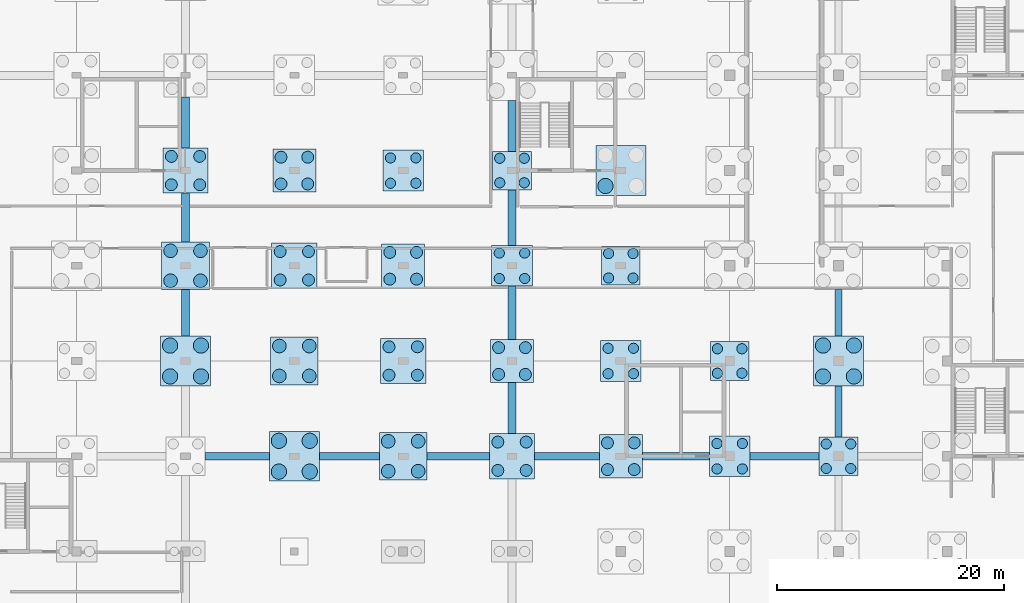
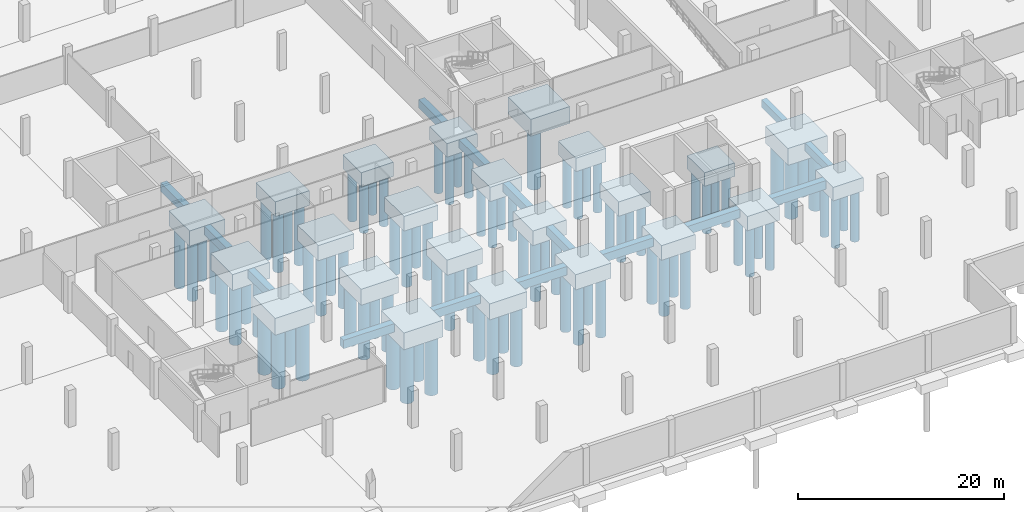
# One storey, part 4 of 26: 89 piles, 38 footings.
"""IFC4 building model written with IfcOpenShell, lengths in metres."""

from ifc_helpers import new_model, si_unit, direction, frame, origin, origin_2d, place, context, subcontext, project, spatial, rectangle, circle, extrude, material, layer, layer_set, material_profile, profile_set, type_object, element, save


model = new_model("IFC4")

# Units and contexts
model_context = context("Model", 3, precision=1e-05, world=origin(), true_north=direction((0.0, 1.0)))
body_context = subcontext(model_context, "Body", "Model", "MODEL_VIEW")
ifc_project = project(units=[si_unit("LENGTHUNIT", "METRE"), si_unit("AREAUNIT", "SQUARE_METRE"), si_unit("VOLUMEUNIT", "CUBIC_METRE"), si_unit("PLANEANGLEUNIT", "RADIAN"), si_unit("MASSUNIT", "GRAM", prefix="KILO")], contexts=[model_context])

# Site, building, storey
site_placement = place(None, origin())
site = spatial("IfcSite", under=ifc_project, at=site_placement, CompositionType="ELEMENT")
building_placement = place(site_placement, origin())
building = spatial("IfcBuilding", under=site, at=building_placement, Name="Lornevale Opera House", CompositionType="ELEMENT")
storey_placement = place(building_placement, frame((0.0, 0.0, -9.60009765625)))
storey = spatial("IfcBuildingStorey", under=building, at=storey_placement, Name="B2", CompositionType="ELEMENT", Elevation=-9.60009765625)

# Footings
ifc_material_1 = material(Name="Concrete 35 MPa (CSA A23.1 N)", Category="concrete")
ifc_layer_1 = layer(ifc_material_1, 1.60009765625)
ifc_layer_set_1 = layer_set([ifc_layer_1], Name="Concrete 35 MPa (CSA A23.1 N)")
footing_type_1 = type_object("IfcFootingType", Name="Four-Caisson Cap 3400x3400x1600", PredefinedType="PILE_CAP", material=ifc_layer_set_1)
for number, where, z_axis, x_axis, name in (
    (1, (96.0, 58.800048828125, -2.06005859375), (0.0, 0.0, 1.0), (1.0, 0.0, 0.0), "Four-Caisson Cap 3400x3400x1600 FT-150"),
    (2, (105.60009765625, 50.39990234375, -2.06005859375), (0.0, 0.0, 1.0), (1.0, 0.0, 0.0), "Four-Caisson Cap 3400x3400x1600 FT-164"),
    (3, (115.199951171875, 42.0, -2.06005859375), (0.0, 0.0, 1.0), (1.0, 0.0, 0.0), "Four-Caisson Cap 3400x3400x1600 FT-178"),
    (4, (124.800048828125, 33.60009765625, -2.06005859375), (0.0, 0.0, 1.0), (1.0, 0.0, 0.0), "Four-Caisson Cap 3400x3400x1600 FT-192"),
):
    element("IfcFooting", number, at=place(storey_placement, frame(where, z_axis=z_axis, x_axis=x_axis)), inside=storey, type_object=footing_type_1, Name=name, PredefinedType="PILE_CAP", context=body_context, shape_type="SweptSolid", body=[
        extrude(rectangle(XDim=3.39990234375, YDim=3.39990234375, at=origin_2d()), origin(), (0.0, 0.0, 1.0), 1.60009765625),
    ])
ifc_layer_2 = layer(ifc_material_1, 1.699951171875)
ifc_layer_set_2 = layer_set([ifc_layer_2], Name="Concrete 35 MPa (CSA A23.1 N)")
footing_type_2 = type_object("IfcFootingType", Name="Four-Caisson Cap 3600x3600x1700", PredefinedType="PILE_CAP", material=ifc_layer_set_2)
for number, where, z_axis, x_axis, name in (
    (5, (86.39990234375, 58.800048828125, -2.15966796875), (0.0, 0.0, 1.0), (1.0, 0.0, 0.0), "Four-Caisson Cap 3600x3600x1700 FT-135"),
    (6, (96.0, 50.39990234375, -2.15966796875), (0.0, 0.0, 1.0), (1.0, 0.0, 0.0), "Four-Caisson Cap 3600x3600x1700 FT-149"),
    (7, (105.60009765625, 42.0, -2.15966796875), (0.0, 0.0, 1.0), (1.0, 0.0, 0.0), "Four-Caisson Cap 3600x3600x1700 FT-163"),
    (8, (115.199951171875, 33.60009765625, -2.15966796875), (0.0, 0.0, 1.0), (1.0, 0.0, 0.0), "Four-Caisson Cap 3600x3600x1700 FT-177"),
):
    element("IfcFooting", number, at=place(storey_placement, frame(where, z_axis=z_axis, x_axis=x_axis)), inside=storey, type_object=footing_type_2, Name=name, PredefinedType="PILE_CAP", context=body_context, shape_type="SweptSolid", body=[
        extrude(rectangle(XDim=3.60009765625, YDim=3.60009765625, at=origin_2d()), origin(), (0.0, 0.0, 1.0), 1.699951171875),
    ])
ifc_layer_3 = layer(ifc_material_1, 1.75)
ifc_layer_set_3 = layer_set([ifc_layer_3], Name="Concrete 35 MPa (CSA A23.1 N)")
footing_type_3 = type_object("IfcFootingType", Name="Four-Caisson Cap 3800x3800x1750", PredefinedType="PILE_CAP", material=ifc_layer_set_3)
for number, where, z_axis, x_axis, name in (
    (9, (76.800048828125, 58.800048828125, -2.2099609375), (0.0, 0.0, 1.0), (1.0, 0.0, 0.0), "Four-Caisson Cap 3800x3800x1750 FT-120"),
    (10, (86.39990234375, 50.39990234375, -2.2099609375), (0.0, 0.0, 1.0), (1.0, 0.0, 0.0), "Four-Caisson Cap 3800x3800x1750 FT-134"),
    (11, (96.0, 42.0, -2.2099609375), (0.0, 0.0, 1.0), (1.0, 0.0, 0.0), "Four-Caisson Cap 3800x3800x1750 FT-148"),
    (12, (105.60009765625, 33.60009765625, -2.2099609375), (0.0, 0.0, 1.0), (1.0, 0.0, 0.0), "Four-Caisson Cap 3800x3800x1750 FT-162"),
):
    element("IfcFooting", number, at=place(storey_placement, frame(where, z_axis=z_axis, x_axis=x_axis)), inside=storey, type_object=footing_type_3, Name=name, PredefinedType="PILE_CAP", context=body_context, shape_type="SweptSolid", body=[
        extrude(rectangle(XDim=3.800048828125, YDim=3.800048828125, at=origin_2d()), origin(), (0.0, 0.0, 1.0), 1.75),
    ])
ifc_layer_4 = layer(ifc_material_1, 1.800048828125)
ifc_layer_set_4 = layer_set([ifc_layer_4], Name="Concrete 35 MPa (CSA A23.1 N)")
footing_type_4 = type_object("IfcFootingType", Name="Four-Caisson Cap 4000x4000x1800", PredefinedType="PILE_CAP", material=ifc_layer_set_4)
for number, where, z_axis, x_axis, name in (
    (13, (67.199951171875, 58.800048828125, -2.259765625), (0.0, 0.0, 1.0), (1.0, 0.0, 0.0), "Four-Caisson Cap 4000x4000x1800 FT-105"),
    (14, (76.800048828125, 50.39990234375, -2.259765625), (0.0, 0.0, 1.0), (1.0, 0.0, 0.0), "Four-Caisson Cap 4000x4000x1800 FT-119"),
    (15, (86.39990234375, 42.0, -2.259765625), (0.0, 0.0, 1.0), (1.0, 0.0, 0.0), "Four-Caisson Cap 4000x4000x1800 FT-133"),
    (16, (96.0, 33.60009765625, -2.259765625), (0.0, 0.0, 1.0), (1.0, 0.0, 0.0), "Four-Caisson Cap 4000x4000x1800 FT-147"),
):
    element("IfcFooting", number, at=place(storey_placement, frame(where, z_axis=z_axis, x_axis=x_axis)), inside=storey, type_object=footing_type_4, Name=name, PredefinedType="PILE_CAP", context=body_context, shape_type="SweptSolid", body=[
        extrude(rectangle(XDim=4.0, YDim=4.0, at=origin_2d()), origin(), (0.0, 0.0, 1.0), 1.800048828125),
    ])
ifc_layer_5 = layer(ifc_material_1, 1.89990234375)
ifc_layer_set_5 = layer_set([ifc_layer_5], Name="Concrete 35 MPa (CSA A23.1 N)")
footing_type_5 = type_object("IfcFootingType", Name="Four-Caisson Cap 4200x4200x1900", PredefinedType="PILE_CAP", material=ifc_layer_set_5)
for number, where, z_axis, x_axis, name in (
    (17, (67.199951171875, 50.39990234375, -2.35986328125), (0.0, 0.0, 1.0), (1.0, 0.0, 0.0), "Four-Caisson Cap 4200x4200x1900 FT-104"),
    (18, (76.800048828125, 42.0, -2.35986328125), (0.0, 0.0, 1.0), (1.0, 0.0, 0.0), "Four-Caisson Cap 4200x4200x1900 FT-118"),
    (19, (86.39990234375, 33.60009765625, -2.35986328125), (0.0, 0.0, 1.0), (1.0, 0.0, 0.0), "Four-Caisson Cap 4200x4200x1900 FT-132"),
):
    element("IfcFooting", number, at=place(storey_placement, frame(where, z_axis=z_axis, x_axis=x_axis)), inside=storey, type_object=footing_type_5, Name=name, PredefinedType="PILE_CAP", context=body_context, shape_type="SweptSolid", body=[
        extrude(rectangle(XDim=4.199951171875, YDim=4.199951171875, at=origin_2d()), origin(), (0.0, 0.0, 1.0), 1.89990234375),
    ])
ifc_layer_6 = layer(ifc_material_1, 2.0)
ifc_layer_set_6 = layer_set([ifc_layer_6], Name="Concrete 35 MPa (CSA A23.1 N)")
footing_type_6 = type_object("IfcFootingType", Name="Four-Caisson Cap 4400x4400x2000", PredefinedType="PILE_CAP", material=ifc_layer_set_6)
for number, where, z_axis, x_axis, name in (
    (20, (67.199951171875, 42.0, -2.4599609375), (0.0, 0.0, 1.0), (1.0, 0.0, 0.0), "Four-Caisson Cap 4400x4400x2000 FT-103"),
    (21, (76.800048828125, 33.60009765625, -2.4599609375), (0.0, 0.0, 1.0), (1.0, 0.0, 0.0), "Four-Caisson Cap 4400x4400x2000 FT-117"),
    (22, (105.60009765625, 58.800048828125, -2.4599609375), (0.0, 0.0, 1.0), (1.0, 0.0, 0.0), "Four-Caisson Cap 4400x4400x2000 FT-165"),
    (23, (124.800048828125, 42.0, -2.4599609375), (0.0, 0.0, 1.0), (1.0, 0.0, 0.0), "Four-Caisson Cap 4400x4400x2000 FT-193"),
):
    element("IfcFooting", number, at=place(storey_placement, frame(where, z_axis=z_axis, x_axis=x_axis)), inside=storey, type_object=footing_type_6, Name=name, PredefinedType="PILE_CAP", context=body_context, shape_type="SweptSolid", body=[
        extrude(rectangle(XDim=4.39990234375, YDim=4.39990234375, at=origin_2d()), origin(), (0.0, 0.0, 1.0), 2.0),
    ])
ifc_layer_7 = layer(ifc_material_1, 1.0)
ifc_layer_set_7 = layer_set([ifc_layer_7], Name="Concrete 35 MPa (CSA A23.1 N)")
footing_type_7 = type_object("IfcFootingType", Name="Grade Tie Beam EW 700x1000", PredefinedType="FOOTING_BEAM", material=ifc_layer_set_7)
footing_1_placement = place(storey_placement, frame((71.75, 33.60009765625, -1.4599609375), z_axis=(0.0, 0.0, 1.0), x_axis=(1.0, 0.0, 0.0)))
element("IfcFooting", 24, at=footing_1_placement, inside=storey, type_object=footing_type_7, Name="Grade Tie Beam EW 700x1000 FT-281", PredefinedType="FOOTING_BEAM", context=body_context, shape_type="SweptSolid", body=[
    extrude(rectangle(XDim=5.699951171875, YDim=0.699951171875, at=origin_2d()), origin(), (0.0, 0.0, 1.0), 1.0),
])
footing_2_placement = place(storey_placement, frame((81.64990234375, 33.60009765625, -1.4599609375), z_axis=(0.0, 0.0, 1.0), x_axis=(1.0, 0.0, 0.0)))
element("IfcFooting", 25, at=footing_2_placement, inside=storey, type_object=footing_type_7, Name="Grade Tie Beam EW 700x1000 FT-286", PredefinedType="FOOTING_BEAM", context=body_context, shape_type="SweptSolid", body=[
    extrude(rectangle(XDim=5.300048828125, YDim=0.699951171875, at=origin_2d()), origin(), (0.0, 0.0, 1.0), 1.0),
])
footing_3_placement = place(storey_placement, frame((91.25, 33.60009765625, -1.4599609375), z_axis=(0.0, 0.0, 1.0), x_axis=(1.0, 0.0, 0.0)))
element("IfcFooting", 26, at=footing_3_placement, inside=storey, type_object=footing_type_7, Name="Grade Tie Beam EW 700x1000 FT-291", PredefinedType="FOOTING_BEAM", context=body_context, shape_type="SweptSolid", body=[
    extrude(rectangle(XDim=5.5, YDim=0.699951171875, at=origin_2d()), origin(), (0.0, 0.0, 1.0), 1.0),
])
footing_4_placement = place(storey_placement, frame((100.85009765625, 33.60009765625, -1.4599609375), z_axis=(0.0, 0.0, 1.0), x_axis=(1.0, 0.0, 0.0)))
element("IfcFooting", 27, at=footing_4_placement, inside=storey, type_object=footing_type_7, Name="Grade Tie Beam EW 700x1000 FT-296", PredefinedType="FOOTING_BEAM", context=body_context, shape_type="SweptSolid", body=[
    extrude(rectangle(XDim=5.699951171875, YDim=0.699951171875, at=origin_2d()), origin(), (0.0, 0.0, 1.0), 1.0),
])
footing_5_placement = place(storey_placement, frame((110.449951171875, 33.60009765625, -1.4599609375), z_axis=(0.0, 0.0, 1.0), x_axis=(1.0, 0.0, 0.0)))
element("IfcFooting", 28, at=footing_5_placement, inside=storey, type_object=footing_type_7, Name="Grade Tie Beam EW 700x1000 FT-301", PredefinedType="FOOTING_BEAM", context=body_context, shape_type="SweptSolid", body=[
    extrude(rectangle(XDim=5.89990234375, YDim=0.699951171875, at=origin_2d()), origin(), (0.0, 0.0, 1.0), 1.0),
])
footing_6_placement = place(storey_placement, frame((120.050048828125, 33.60009765625, -1.4599609375), z_axis=(0.0, 0.0, 1.0), x_axis=(1.0, 0.0, 0.0)))
element("IfcFooting", 29, at=footing_6_placement, inside=storey, type_object=footing_type_7, Name="Grade Tie Beam EW 700x1000 FT-306", PredefinedType="FOOTING_BEAM", context=body_context, shape_type="SweptSolid", body=[
    extrude(rectangle(XDim=6.10009765625, YDim=0.699951171875, at=origin_2d()), origin(), (0.0, 0.0, 1.0), 1.0),
])
ifc_layer_8 = layer(ifc_material_1, 0.89990234375)
ifc_layer_set_8 = layer_set([ifc_layer_8], Name="Concrete 35 MPa (CSA A23.1 N)")
footing_type_8 = type_object("IfcFootingType", Name="Grade Tie Beam NS 600x900", PredefinedType="FOOTING_BEAM", material=ifc_layer_set_8)
footing_7_placement = place(storey_placement, frame((124.800048828125, 37.550048828125, -1.35986328125), z_axis=(0.0, 0.0, 1.0), x_axis=(1.0, 0.0, 0.0)))
element("IfcFooting", 30, at=footing_7_placement, inside=storey, type_object=footing_type_8, Name="Grade Tie Beam NS 600x900 FT-382", PredefinedType="FOOTING_BEAM", context=body_context, shape_type="SweptSolid", body=[
    extrude(rectangle(XDim=0.60009765625, YDim=4.5, at=origin_2d()), origin(), (0.0, 0.0, 1.0), 0.89990234375),
])
footing_8_placement = place(storey_placement, frame((124.800048828125, 46.25, -1.35986328125), z_axis=(0.0, 0.0, 1.0), x_axis=(1.0, 0.0, 0.0)))
element("IfcFooting", 31, at=footing_8_placement, inside=storey, type_object=footing_type_8, Name="Grade Tie Beam NS 600x900 FT-383", PredefinedType="FOOTING_BEAM", context=body_context, shape_type="SweptSolid", body=[
    extrude(rectangle(XDim=0.60009765625, YDim=4.10009765625, at=origin_2d()), origin(), (0.0, 0.0, 1.0), 0.89990234375),
])
ifc_layer_9 = layer(ifc_material_1, 1.0)
ifc_layer_set_9 = layer_set([ifc_layer_9], Name="Concrete 35 MPa (CSA A23.1 N)")
footing_type_9 = type_object("IfcFootingType", Name="Grade Tie Beam NS 700x1000", PredefinedType="FOOTING_BEAM", material=ifc_layer_set_9)
footing_9_placement = place(storey_placement, frame((67.199951171875, 46.25, -1.4599609375), z_axis=(0.0, 0.0, 1.0), x_axis=(1.0, 0.0, 0.0)))
element("IfcFooting", 32, at=footing_9_placement, inside=storey, type_object=footing_type_9, Name="Grade Tie Beam NS 700x1000 FT-355", PredefinedType="FOOTING_BEAM", context=body_context, shape_type="SweptSolid", body=[
    extrude(rectangle(XDim=0.699951171875, YDim=4.10009765625, at=origin_2d()), origin(), (0.0, 0.0, 1.0), 1.0),
])
footing_10_placement = place(storey_placement, frame((67.199951171875, 54.64990234375, -1.4599609375), z_axis=(0.0, 0.0, 1.0), x_axis=(1.0, 0.0, 0.0)))
element("IfcFooting", 33, at=footing_10_placement, inside=storey, type_object=footing_type_9, Name="Grade Tie Beam NS 700x1000 FT-356", PredefinedType="FOOTING_BEAM", context=body_context, shape_type="SweptSolid", body=[
    extrude(rectangle(XDim=0.699951171875, YDim=4.300048828125, at=origin_2d()), origin(), (0.0, 0.0, 1.0), 1.0),
])
for number, where, z_axis, x_axis, name in (
    (34, (67.199951171875, 63.050048828125, -1.4599609375), (0.0, 0.0, 1.0), (1.0, 0.0, 0.0), "Grade Tie Beam NS 700x1000 FT-357"),
    (35, (96.0, 37.85009765625, -1.4599609375), (0.0, 0.0, 1.0), (1.0, 0.0, 0.0), "Grade Tie Beam NS 700x1000 FT-368"),
):
    element("IfcFooting", number, at=place(storey_placement, frame(where, z_axis=z_axis, x_axis=x_axis)), inside=storey, type_object=footing_type_9, Name=name, PredefinedType="FOOTING_BEAM", context=body_context, shape_type="SweptSolid", body=[
        extrude(rectangle(XDim=0.699951171875, YDim=4.5, at=origin_2d()), origin(), (0.0, 0.0, 1.0), 1.0),
    ])
footing_11_placement = place(storey_placement, frame((96.0, 46.25, -1.4599609375), z_axis=(0.0, 0.0, 1.0), x_axis=(1.0, 0.0, 0.0)))
element("IfcFooting", 36, at=footing_11_placement, inside=storey, type_object=footing_type_9, Name="Grade Tie Beam NS 700x1000 FT-369", PredefinedType="FOOTING_BEAM", context=body_context, shape_type="SweptSolid", body=[
    extrude(rectangle(XDim=0.699951171875, YDim=4.699951171875, at=origin_2d()), origin(), (0.0, 0.0, 1.0), 1.0),
])
footing_12_placement = place(storey_placement, frame((96.0, 54.64990234375, -1.4599609375), z_axis=(0.0, 0.0, 1.0), x_axis=(1.0, 0.0, 0.0)))
element("IfcFooting", 37, at=footing_12_placement, inside=storey, type_object=footing_type_9, Name="Grade Tie Beam NS 700x1000 FT-370", PredefinedType="FOOTING_BEAM", context=body_context, shape_type="SweptSolid", body=[
    extrude(rectangle(XDim=0.699951171875, YDim=4.89990234375, at=origin_2d()), origin(), (0.0, 0.0, 1.0), 1.0),
])
footing_13_placement = place(storey_placement, frame((96.0, 62.75, -1.4599609375), z_axis=(0.0, 0.0, 1.0), x_axis=(1.0, 0.0, 0.0)))
element("IfcFooting", 38, at=footing_13_placement, inside=storey, type_object=footing_type_9, Name="Grade Tie Beam NS 700x1000 FT-371", PredefinedType="FOOTING_BEAM", context=body_context, shape_type="SweptSolid", body=[
    extrude(rectangle(XDim=0.699951171875, YDim=4.5, at=origin_2d()), origin(), (0.0, 0.0, 1.0), 1.0),
])

# Piles
ifc_material_2 = material(Name="Concrete 40 MPa (CSA A23.1 C-1)", Category="concrete")
ifc_material_profile_1 = material_profile(ifc_material_2, circle(Radius=0.52490234375, at=origin_2d()), Name="CAIS1050")
ifc_profile_set_1 = profile_set([ifc_material_profile_1], Name="Concrete 40 MPa (CSA A23.1 C-1)")
pile_type_1 = type_object("IfcPileType", Name="Rock-Socketed Caisson D1050", PredefinedType="BORED", material=ifc_profile_set_1)
for number, where, z_axis, x_axis, name in (
    (39, (65.949951171875, 57.550048828125, -2.139892578125), (0.0, 0.0, -1.0), (1.0, 0.0, 0.0), "Rock-Socketed Caisson D1050 0191"),
    (40, (68.449951171875, 57.550048828125, -2.139892578125), (0.0, 0.0, -1.0), (1.0, 0.0, 0.0), "Rock-Socketed Caisson D1050 0192"),
    (41, (65.949951171875, 60.050048828125, -2.139892578125), (0.0, 0.0, -1.0), (1.0, 0.0, 0.0), "Rock-Socketed Caisson D1050 0193"),
    (42, (68.449951171875, 60.050048828125, -2.139892578125), (0.0, 0.0, -1.0), (1.0, 0.0, 0.0), "Rock-Socketed Caisson D1050 0194"),
    (43, (75.550048828125, 49.14990234375, -2.139892578125), (0.0, 0.0, -1.0), (1.0, 0.0, 0.0), "Rock-Socketed Caisson D1050 0225"),
    (44, (78.050048828125, 49.14990234375, -2.139892578125), (0.0, 0.0, -1.0), (1.0, 0.0, 0.0), "Rock-Socketed Caisson D1050 0226"),
    (45, (75.550048828125, 51.64990234375, -2.139892578125), (0.0, 0.0, -1.0), (1.0, 0.0, 0.0), "Rock-Socketed Caisson D1050 0227"),
    (46, (78.050048828125, 51.64990234375, -2.139892578125), (0.0, 0.0, -1.0), (1.0, 0.0, 0.0), "Rock-Socketed Caisson D1050 0228"),
):
    element("IfcPile", number, at=place(storey_placement, frame(where, z_axis=z_axis, x_axis=x_axis)), inside=storey, type_object=pile_type_1, Name=name, PredefinedType="BORED", context=body_context, shape_type="SweptSolid", body=[
        extrude(circle(Radius=0.52490234375, at=origin_2d()), origin(), (0.0, 0.0, 1.0), 7.06005859375),
    ])
for number, where, z_axis, x_axis, name in (
    (47, (75.6201171875, 57.6201171875, -2.08984375), (0.0, 0.0, -1.0), (1.0, 0.0, 0.0), "Rock-Socketed Caisson D1050 0229"),
    (48, (77.97998046875, 57.6201171875, -2.08984375), (0.0, 0.0, -1.0), (1.0, 0.0, 0.0), "Rock-Socketed Caisson D1050 0230"),
    (49, (75.6201171875, 59.97998046875, -2.08984375), (0.0, 0.0, -1.0), (1.0, 0.0, 0.0), "Rock-Socketed Caisson D1050 0231"),
    (50, (77.97998046875, 59.97998046875, -2.08984375), (0.0, 0.0, -1.0), (1.0, 0.0, 0.0), "Rock-Socketed Caisson D1050 0232"),
):
    element("IfcPile", number, at=place(storey_placement, frame(where, z_axis=z_axis, x_axis=x_axis)), inside=storey, type_object=pile_type_1, Name=name, PredefinedType="BORED", context=body_context, shape_type="SweptSolid", body=[
        extrude(circle(Radius=0.52490234375, at=origin_2d()), origin(), (0.0, 0.0, 1.0), 7.110107421875),
    ])
for number, where, z_axis, x_axis, name in (
    (51, (85.14990234375, 40.75, -2.139892578125), (0.0, 0.0, -1.0), (1.0, 0.0, 0.0), "Rock-Socketed Caisson D1050 0259"),
    (52, (87.64990234375, 40.75, -2.139892578125), (0.0, 0.0, -1.0), (1.0, 0.0, 0.0), "Rock-Socketed Caisson D1050 0260"),
    (53, (85.14990234375, 43.25, -2.139892578125), (0.0, 0.0, -1.0), (1.0, 0.0, 0.0), "Rock-Socketed Caisson D1050 0261"),
    (54, (87.64990234375, 43.25, -2.139892578125), (0.0, 0.0, -1.0), (1.0, 0.0, 0.0), "Rock-Socketed Caisson D1050 0262"),
):
    element("IfcPile", number, at=place(storey_placement, frame(where, z_axis=z_axis, x_axis=x_axis)), inside=storey, type_object=pile_type_1, Name=name, PredefinedType="BORED", context=body_context, shape_type="SweptSolid", body=[
        extrude(circle(Radius=0.52490234375, at=origin_2d()), origin(), (0.0, 0.0, 1.0), 7.06005859375),
    ])
for number, where, z_axis, x_axis, name in (
    (55, (85.219970703125, 49.219970703125, -2.08984375), (0.0, 0.0, -1.0), (1.0, 0.0, 0.0), "Rock-Socketed Caisson D1050 0263"),
    (56, (87.580078125, 49.219970703125, -2.08984375), (0.0, 0.0, -1.0), (1.0, 0.0, 0.0), "Rock-Socketed Caisson D1050 0264"),
    (57, (85.219970703125, 51.580078125, -2.08984375), (0.0, 0.0, -1.0), (1.0, 0.0, 0.0), "Rock-Socketed Caisson D1050 0265"),
    (58, (87.580078125, 51.580078125, -2.08984375), (0.0, 0.0, -1.0), (1.0, 0.0, 0.0), "Rock-Socketed Caisson D1050 0266"),
):
    element("IfcPile", number, at=place(storey_placement, frame(where, z_axis=z_axis, x_axis=x_axis)), inside=storey, type_object=pile_type_1, Name=name, PredefinedType="BORED", context=body_context, shape_type="SweptSolid", body=[
        extrude(circle(Radius=0.52490234375, at=origin_2d()), origin(), (0.0, 0.0, 1.0), 7.110107421875),
    ])
for number, where, z_axis, x_axis, name in (
    (59, (94.75, 32.35009765625, -2.139892578125), (0.0, 0.0, -1.0), (1.0, 0.0, 0.0), "Rock-Socketed Caisson D1050 0295"),
    (60, (97.25, 32.35009765625, -2.139892578125), (0.0, 0.0, -1.0), (1.0, 0.0, 0.0), "Rock-Socketed Caisson D1050 0296"),
    (61, (94.75, 34.85009765625, -2.139892578125), (0.0, 0.0, -1.0), (1.0, 0.0, 0.0), "Rock-Socketed Caisson D1050 0297"),
    (62, (97.25, 34.85009765625, -2.139892578125), (0.0, 0.0, -1.0), (1.0, 0.0, 0.0), "Rock-Socketed Caisson D1050 0298"),
):
    element("IfcPile", number, at=place(storey_placement, frame(where, z_axis=z_axis, x_axis=x_axis)), inside=storey, type_object=pile_type_1, Name=name, PredefinedType="BORED", context=body_context, shape_type="SweptSolid", body=[
        extrude(circle(Radius=0.52490234375, at=origin_2d()), origin(), (0.0, 0.0, 1.0), 7.06005859375),
    ])
for number, where, z_axis, x_axis, name in (
    (63, (94.820068359375, 40.820068359375, -2.08984375), (0.0, 0.0, -1.0), (1.0, 0.0, 0.0), "Rock-Socketed Caisson D1050 0299"),
    (64, (97.179931640625, 40.820068359375, -2.08984375), (0.0, 0.0, -1.0), (1.0, 0.0, 0.0), "Rock-Socketed Caisson D1050 0300"),
    (65, (94.820068359375, 43.179931640625, -2.08984375), (0.0, 0.0, -1.0), (1.0, 0.0, 0.0), "Rock-Socketed Caisson D1050 0301"),
    (66, (97.179931640625, 43.179931640625, -2.08984375), (0.0, 0.0, -1.0), (1.0, 0.0, 0.0), "Rock-Socketed Caisson D1050 0302"),
    (67, (104.419921875, 32.419921875, -2.08984375), (0.0, 0.0, -1.0), (1.0, 0.0, 0.0), "Rock-Socketed Caisson D1050 0335"),
    (68, (106.780029296875, 32.419921875, -2.08984375), (0.0, 0.0, -1.0), (1.0, 0.0, 0.0), "Rock-Socketed Caisson D1050 0336"),
    (69, (104.419921875, 34.780029296875, -2.08984375), (0.0, 0.0, -1.0), (1.0, 0.0, 0.0), "Rock-Socketed Caisson D1050 0337"),
    (70, (106.780029296875, 34.780029296875, -2.08984375), (0.0, 0.0, -1.0), (1.0, 0.0, 0.0), "Rock-Socketed Caisson D1050 0338"),
):
    element("IfcPile", number, at=place(storey_placement, frame(where, z_axis=z_axis, x_axis=x_axis)), inside=storey, type_object=pile_type_1, Name=name, PredefinedType="BORED", context=body_context, shape_type="SweptSolid", body=[
        extrude(circle(Radius=0.52490234375, at=origin_2d()), origin(), (0.0, 0.0, 1.0), 7.110107421875),
    ])
ifc_material_profile_2 = material_profile(ifc_material_2, circle(Radius=0.60009765625, at=origin_2d()), Name="CAIS1200")
ifc_profile_set_2 = profile_set([ifc_material_profile_2], Name="Concrete 40 MPa (CSA A23.1 C-1)")
pile_type_2 = type_object("IfcPileType", Name="Rock-Socketed Caisson D1200", PredefinedType="BORED", material=ifc_profile_set_2)
for number, where, z_axis, x_axis, name in (
    (71, (65.8798828125, 49.080078125, -2.239990234375), (0.0, 0.0, -1.0), (1.0, 0.0, 0.0), "Rock-Socketed Caisson D1200 0187"),
    (72, (68.52001953125, 49.080078125, -2.239990234375), (0.0, 0.0, -1.0), (1.0, 0.0, 0.0), "Rock-Socketed Caisson D1200 0188"),
    (73, (65.8798828125, 51.719970703125, -2.239990234375), (0.0, 0.0, -1.0), (1.0, 0.0, 0.0), "Rock-Socketed Caisson D1200 0189"),
    (74, (68.52001953125, 51.719970703125, -2.239990234375), (0.0, 0.0, -1.0), (1.0, 0.0, 0.0), "Rock-Socketed Caisson D1200 0190"),
    (75, (75.47998046875, 40.679931640625, -2.239990234375), (0.0, 0.0, -1.0), (1.0, 0.0, 0.0), "Rock-Socketed Caisson D1200 0221"),
    (76, (78.1201171875, 40.679931640625, -2.239990234375), (0.0, 0.0, -1.0), (1.0, 0.0, 0.0), "Rock-Socketed Caisson D1200 0222"),
    (77, (75.47998046875, 43.320068359375, -2.239990234375), (0.0, 0.0, -1.0), (1.0, 0.0, 0.0), "Rock-Socketed Caisson D1200 0223"),
    (78, (78.1201171875, 43.320068359375, -2.239990234375), (0.0, 0.0, -1.0), (1.0, 0.0, 0.0), "Rock-Socketed Caisson D1200 0224"),
    (79, (85.080078125, 32.280029296875, -2.239990234375), (0.0, 0.0, -1.0), (1.0, 0.0, 0.0), "Rock-Socketed Caisson D1200 0255"),
    (80, (87.719970703125, 32.280029296875, -2.239990234375), (0.0, 0.0, -1.0), (1.0, 0.0, 0.0), "Rock-Socketed Caisson D1200 0256"),
    (81, (85.080078125, 34.919921875, -2.239990234375), (0.0, 0.0, -1.0), (1.0, 0.0, 0.0), "Rock-Socketed Caisson D1200 0257"),
    (82, (87.719970703125, 34.919921875, -2.239990234375), (0.0, 0.0, -1.0), (1.0, 0.0, 0.0), "Rock-Socketed Caisson D1200 0258"),
):
    element("IfcPile", number, at=place(storey_placement, frame(where, z_axis=z_axis, x_axis=x_axis)), inside=storey, type_object=pile_type_2, Name=name, PredefinedType="BORED", context=body_context, shape_type="SweptSolid", body=[
        extrude(circle(Radius=0.60009765625, at=origin_2d()), origin(), (0.0, 0.0, 1.0), 6.9599609375),
    ])
ifc_material_profile_3 = material_profile(ifc_material_2, circle(Radius=0.675048828125, at=origin_2d()), Name="CAIS1350")
ifc_profile_set_3 = profile_set([ifc_material_profile_3], Name="Concrete 40 MPa (CSA A23.1 C-1)")
pile_type_3 = type_object("IfcPileType", Name="Rock-Socketed Caisson D1350", PredefinedType="BORED", material=ifc_profile_set_3)
for number, where, z_axis, x_axis, name in (
    (83, (65.840087890625, 40.639892578125, -2.33984375), (0.0, 0.0, -1.0), (1.0, 0.0, 0.0), "Rock-Socketed Caisson D1350 0183"),
    (84, (68.56005859375, 40.639892578125, -2.33984375), (0.0, 0.0, -1.0), (1.0, 0.0, 0.0), "Rock-Socketed Caisson D1350 0184"),
    (85, (65.840087890625, 43.360107421875, -2.33984375), (0.0, 0.0, -1.0), (1.0, 0.0, 0.0), "Rock-Socketed Caisson D1350 0185"),
    (86, (68.56005859375, 43.360107421875, -2.33984375), (0.0, 0.0, -1.0), (1.0, 0.0, 0.0), "Rock-Socketed Caisson D1350 0186"),
    (87, (75.43994140625, 32.239990234375, -2.33984375), (0.0, 0.0, -1.0), (1.0, 0.0, 0.0), "Rock-Socketed Caisson D1350 0217"),
    (88, (78.159912109375, 32.239990234375, -2.33984375), (0.0, 0.0, -1.0), (1.0, 0.0, 0.0), "Rock-Socketed Caisson D1350 0218"),
    (89, (75.43994140625, 34.9599609375, -2.33984375), (0.0, 0.0, -1.0), (1.0, 0.0, 0.0), "Rock-Socketed Caisson D1350 0219"),
    (90, (78.159912109375, 34.9599609375, -2.33984375), (0.0, 0.0, -1.0), (1.0, 0.0, 0.0), "Rock-Socketed Caisson D1350 0220"),
    (91, (104.239990234375, 57.43994140625, -2.33984375), (0.0, 0.0, -1.0), (1.0, 0.0, 0.0), "Rock-Socketed Caisson D1350 0347"),
    (92, (123.43994140625, 40.639892578125, -2.33984375), (0.0, 0.0, -1.0), (1.0, 0.0, 0.0), "Rock-Socketed Caisson D1350 0418"),
    (93, (126.159912109375, 40.639892578125, -2.33984375), (0.0, 0.0, -1.0), (1.0, 0.0, 0.0), "Rock-Socketed Caisson D1350 0419"),
    (94, (123.43994140625, 43.360107421875, -2.33984375), (0.0, 0.0, -1.0), (1.0, 0.0, 0.0), "Rock-Socketed Caisson D1350 0420"),
    (95, (126.159912109375, 43.360107421875, -2.33984375), (0.0, 0.0, -1.0), (1.0, 0.0, 0.0), "Rock-Socketed Caisson D1350 0421"),
):
    element("IfcPile", number, at=place(storey_placement, frame(where, z_axis=z_axis, x_axis=x_axis)), inside=storey, type_object=pile_type_3, Name=name, PredefinedType="BORED", context=body_context, shape_type="SweptSolid", body=[
        extrude(circle(Radius=0.675048828125, at=origin_2d()), origin(), (0.0, 0.0, 1.0), 6.860107421875),
    ])
ifc_material_profile_4 = material_profile(ifc_material_2, circle(Radius=0.449951171875, at=origin_2d()), Name="CAIS900")
ifc_profile_set_4 = profile_set([ifc_material_profile_4], Name="Concrete 40 MPa (CSA A23.1 C-1)")
pile_type_4 = type_object("IfcPileType", Name="Rock-Socketed Caisson D900", PredefinedType="BORED", material=ifc_profile_set_4)
for number, where, z_axis, x_axis, name in (
    (96, (85.280029296875, 57.679931640625, -2.039794921875), (0.0, 0.0, -1.0), (1.0, 0.0, 0.0), "Rock-Socketed Caisson D900 0267"),
    (97, (87.52001953125, 57.679931640625, -2.039794921875), (0.0, 0.0, -1.0), (1.0, 0.0, 0.0), "Rock-Socketed Caisson D900 0268"),
    (98, (85.280029296875, 59.919921875, -2.039794921875), (0.0, 0.0, -1.0), (1.0, 0.0, 0.0), "Rock-Socketed Caisson D900 0269"),
    (99, (87.52001953125, 59.919921875, -2.039794921875), (0.0, 0.0, -1.0), (1.0, 0.0, 0.0), "Rock-Socketed Caisson D900 0270"),
    (100, (94.8798828125, 49.280029296875, -2.039794921875), (0.0, 0.0, -1.0), (1.0, 0.0, 0.0), "Rock-Socketed Caisson D900 0303"),
    (101, (97.1201171875, 49.280029296875, -2.039794921875), (0.0, 0.0, -1.0), (1.0, 0.0, 0.0), "Rock-Socketed Caisson D900 0304"),
    (102, (94.8798828125, 51.52001953125, -2.039794921875), (0.0, 0.0, -1.0), (1.0, 0.0, 0.0), "Rock-Socketed Caisson D900 0305"),
    (103, (97.1201171875, 51.52001953125, -2.039794921875), (0.0, 0.0, -1.0), (1.0, 0.0, 0.0), "Rock-Socketed Caisson D900 0306"),
):
    element("IfcPile", number, at=place(storey_placement, frame(where, z_axis=z_axis, x_axis=x_axis)), inside=storey, type_object=pile_type_4, Name=name, PredefinedType="BORED", context=body_context, shape_type="SweptSolid", body=[
        extrude(circle(Radius=0.449951171875, at=origin_2d()), origin(), (0.0, 0.0, 1.0), 5.9599609375),
    ])
for number, where, z_axis, x_axis, name in (
    (104, (94.919921875, 57.719970703125, -1.93994140625), (0.0, 0.0, -1.0), (1.0, 0.0, 0.0), "Rock-Socketed Caisson D900 0307"),
    (105, (97.080078125, 57.719970703125, -1.93994140625), (0.0, 0.0, -1.0), (1.0, 0.0, 0.0), "Rock-Socketed Caisson D900 0308"),
    (106, (94.919921875, 59.8798828125, -1.93994140625), (0.0, 0.0, -1.0), (1.0, 0.0, 0.0), "Rock-Socketed Caisson D900 0309"),
    (107, (97.080078125, 59.8798828125, -1.93994140625), (0.0, 0.0, -1.0), (1.0, 0.0, 0.0), "Rock-Socketed Caisson D900 0310"),
):
    element("IfcPile", number, at=place(storey_placement, frame(where, z_axis=z_axis, x_axis=x_axis)), inside=storey, type_object=pile_type_4, Name=name, PredefinedType="BORED", context=body_context, shape_type="SweptSolid", body=[
        extrude(circle(Radius=0.449951171875, at=origin_2d()), origin(), (0.0, 0.0, 1.0), 6.06005859375),
    ])
for number, where, z_axis, x_axis, name in (
    (108, (104.47998046875, 40.8798828125, -2.039794921875), (0.0, 0.0, -1.0), (1.0, 0.0, 0.0), "Rock-Socketed Caisson D900 0339"),
    (109, (106.719970703125, 40.8798828125, -2.039794921875), (0.0, 0.0, -1.0), (1.0, 0.0, 0.0), "Rock-Socketed Caisson D900 0340"),
    (110, (104.47998046875, 43.1201171875, -2.039794921875), (0.0, 0.0, -1.0), (1.0, 0.0, 0.0), "Rock-Socketed Caisson D900 0341"),
    (111, (106.719970703125, 43.1201171875, -2.039794921875), (0.0, 0.0, -1.0), (1.0, 0.0, 0.0), "Rock-Socketed Caisson D900 0342"),
):
    element("IfcPile", number, at=place(storey_placement, frame(where, z_axis=z_axis, x_axis=x_axis)), inside=storey, type_object=pile_type_4, Name=name, PredefinedType="BORED", context=body_context, shape_type="SweptSolid", body=[
        extrude(circle(Radius=0.449951171875, at=origin_2d()), origin(), (0.0, 0.0, 1.0), 5.9599609375),
    ])
for number, where, z_axis, x_axis, name in (
    (112, (104.52001953125, 49.320068359375, -1.93994140625), (0.0, 0.0, -1.0), (1.0, 0.0, 0.0), "Rock-Socketed Caisson D900 0343"),
    (113, (106.679931640625, 49.320068359375, -1.93994140625), (0.0, 0.0, -1.0), (1.0, 0.0, 0.0), "Rock-Socketed Caisson D900 0344"),
    (114, (104.52001953125, 51.47998046875, -1.93994140625), (0.0, 0.0, -1.0), (1.0, 0.0, 0.0), "Rock-Socketed Caisson D900 0345"),
    (115, (106.679931640625, 51.47998046875, -1.93994140625), (0.0, 0.0, -1.0), (1.0, 0.0, 0.0), "Rock-Socketed Caisson D900 0346"),
):
    element("IfcPile", number, at=place(storey_placement, frame(where, z_axis=z_axis, x_axis=x_axis)), inside=storey, type_object=pile_type_4, Name=name, PredefinedType="BORED", context=body_context, shape_type="SweptSolid", body=[
        extrude(circle(Radius=0.449951171875, at=origin_2d()), origin(), (0.0, 0.0, 1.0), 6.06005859375),
    ])
for number, where, z_axis, x_axis, name in (
    (116, (114.080078125, 32.47998046875, -2.039794921875), (0.0, 0.0, -1.0), (1.0, 0.0, 0.0), "Rock-Socketed Caisson D900 0375"),
    (117, (116.320068359375, 32.47998046875, -2.039794921875), (0.0, 0.0, -1.0), (1.0, 0.0, 0.0), "Rock-Socketed Caisson D900 0376"),
    (118, (114.080078125, 34.719970703125, -2.039794921875), (0.0, 0.0, -1.0), (1.0, 0.0, 0.0), "Rock-Socketed Caisson D900 0377"),
    (119, (116.320068359375, 34.719970703125, -2.039794921875), (0.0, 0.0, -1.0), (1.0, 0.0, 0.0), "Rock-Socketed Caisson D900 0378"),
):
    element("IfcPile", number, at=place(storey_placement, frame(where, z_axis=z_axis, x_axis=x_axis)), inside=storey, type_object=pile_type_4, Name=name, PredefinedType="BORED", context=body_context, shape_type="SweptSolid", body=[
        extrude(circle(Radius=0.449951171875, at=origin_2d()), origin(), (0.0, 0.0, 1.0), 5.9599609375),
    ])
for number, where, z_axis, x_axis, name in (
    (120, (114.1201171875, 40.919921875, -1.93994140625), (0.0, 0.0, -1.0), (1.0, 0.0, 0.0), "Rock-Socketed Caisson D900 0379"),
    (121, (116.280029296875, 40.919921875, -1.93994140625), (0.0, 0.0, -1.0), (1.0, 0.0, 0.0), "Rock-Socketed Caisson D900 0380"),
    (122, (114.1201171875, 43.080078125, -1.93994140625), (0.0, 0.0, -1.0), (1.0, 0.0, 0.0), "Rock-Socketed Caisson D900 0381"),
    (123, (116.280029296875, 43.080078125, -1.93994140625), (0.0, 0.0, -1.0), (1.0, 0.0, 0.0), "Rock-Socketed Caisson D900 0382"),
    (124, (123.719970703125, 32.52001953125, -1.93994140625), (0.0, 0.0, -1.0), (1.0, 0.0, 0.0), "Rock-Socketed Caisson D900 0414"),
    (125, (125.8798828125, 32.52001953125, -1.93994140625), (0.0, 0.0, -1.0), (1.0, 0.0, 0.0), "Rock-Socketed Caisson D900 0415"),
    (126, (123.719970703125, 34.679931640625, -1.93994140625), (0.0, 0.0, -1.0), (1.0, 0.0, 0.0), "Rock-Socketed Caisson D900 0416"),
    (127, (125.8798828125, 34.679931640625, -1.93994140625), (0.0, 0.0, -1.0), (1.0, 0.0, 0.0), "Rock-Socketed Caisson D900 0417"),
):
    element("IfcPile", number, at=place(storey_placement, frame(where, z_axis=z_axis, x_axis=x_axis)), inside=storey, type_object=pile_type_4, Name=name, PredefinedType="BORED", context=body_context, shape_type="SweptSolid", body=[
        extrude(circle(Radius=0.449951171875, at=origin_2d()), origin(), (0.0, 0.0, 1.0), 6.06005859375),
    ])

save(model, "model.ifc")
